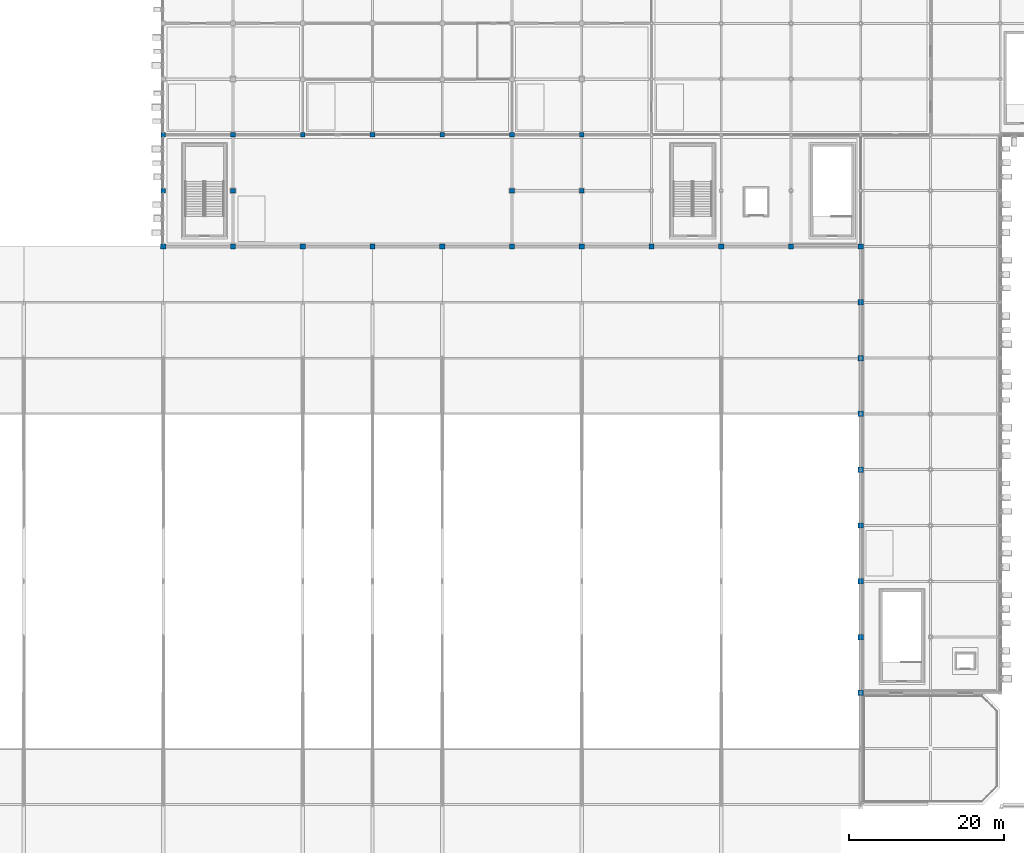
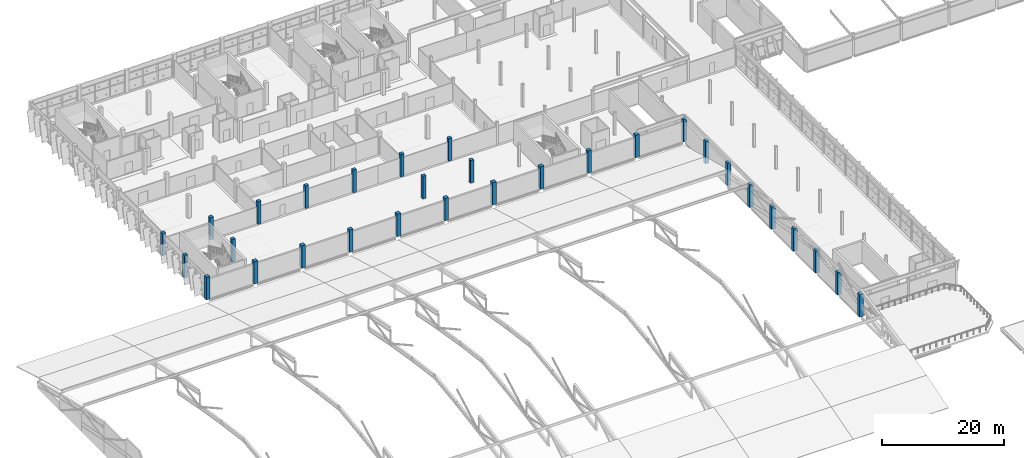
# One storey, part 1 of 124: 30 columns.
"""IFC4 building model written with IfcOpenShell, lengths in metres."""

from ifc_helpers import new_model, si_unit, direction, frame, origin, origin_2d, place, context, subcontext, project, spatial, rectangle, extrude, material, material_profile, profile_set, type_object, element, save


model = new_model("IFC4")

# Units and contexts
model_context = context("Model", 3, precision=1e-05, world=origin(), true_north=direction((0.0, 1.0)))
body_context = subcontext(model_context, "Body", "Model", "MODEL_VIEW")
ifc_project = project(units=[si_unit("LENGTHUNIT", "METRE"), si_unit("AREAUNIT", "SQUARE_METRE"), si_unit("VOLUMEUNIT", "CUBIC_METRE"), si_unit("PLANEANGLEUNIT", "RADIAN"), si_unit("MASSUNIT", "GRAM", prefix="KILO")], contexts=[model_context])

# Site, building, storey
site_placement = place(None, origin())
site = spatial("IfcSite", under=ifc_project, at=site_placement, CompositionType="ELEMENT")
building_placement = place(site_placement, origin())
building = spatial("IfcBuilding", under=site, at=building_placement, Name="Celestram Park Convention Centre", CompositionType="ELEMENT")
storey_placement = place(building_placement, frame((0.0, 0.0, 15.300048828125)))
storey = spatial("IfcBuildingStorey", under=building, at=storey_placement, Name="L03", CompositionType="ELEMENT", Elevation=15.300048828125)

# Columns
ifc_material = material(Name="Concrete C40/50", Category="concrete")
ifc_material_profile_1 = material_profile(ifc_material, rectangle(XDim=0.60009765625, YDim=0.60009765625, at=origin_2d()), Name="RC600X600")
ifc_profile_set_1 = profile_set([ifc_material_profile_1], Name="Concrete C40/50")
column_type_1 = type_object("IfcColumnType", Name="STR-COL-RC600", PredefinedType="COLUMN", material=ifc_profile_set_1)
for number, where, z_axis, x_axis, name in (
    (1, (36.0, 115.199951171875, 0.0), (0.0, 0.0, 1.0), (1.0, 0.0, 0.0), "Column CN-L03-002"),
    (2, (36.0, 122.39990234375, 0.0), (0.0, 0.0, 1.0), (1.0, 0.0, 0.0), "Column CN-L03-003"),
    (3, (45.0, 115.199951171875, 0.0), (0.0, 0.0, 1.0), (1.0, 0.0, 0.0), "Column CN-L03-011"),
    (4, (45.0, 122.39990234375, 0.0), (0.0, 0.0, 1.0), (1.0, 0.0, 0.0), "Column CN-L03-012"),
    (5, (54.0, 122.39990234375, 0.0), (0.0, 0.0, 1.0), (1.0, 0.0, 0.0), "Column CN-L03-020"),
    (6, (63.0, 122.39990234375, 0.0), (0.0, 0.0, 1.0), (1.0, 0.0, 0.0), "Column CN-L03-028"),
    (7, (72.0, 122.39990234375, 0.0), (0.0, 0.0, 1.0), (1.0, 0.0, 0.0), "Column CN-L03-036"),
    (8, (81.0, 115.199951171875, 0.0), (0.0, 0.0, 1.0), (1.0, 0.0, 0.0), "Column CN-L03-044"),
    (9, (81.0, 122.39990234375, 0.0), (0.0, 0.0, 1.0), (1.0, 0.0, 0.0), "Column CN-L03-045"),
    (10, (90.0, 115.199951171875, 0.0), (0.0, 0.0, 1.0), (1.0, 0.0, 0.0), "Column CN-L03-053"),
    (11, (90.0, 122.39990234375, 0.0), (0.0, 0.0, 1.0), (1.0, 0.0, 0.0), "Column CN-L03-054"),
):
    element("IfcColumn", number, at=place(storey_placement, frame(where, z_axis=z_axis, x_axis=x_axis)), inside=storey, type_object=column_type_1, Name=name, PredefinedType="COLUMN", context=body_context, shape_type="SweptSolid", body=[
        extrude(rectangle(XDim=0.60009765625, YDim=0.60009765625, at=origin_2d()), origin(), (0.0, 0.0, 1.0), 4.5),
    ])
ifc_material_profile_2 = material_profile(ifc_material, rectangle(XDim=0.699951171875, YDim=0.699951171875, at=origin_2d()), Name="RC700X700")
ifc_profile_set_2 = profile_set([ifc_material_profile_2], Name="Concrete C40/50")
column_type_2 = type_object("IfcColumnType", Name="STR-COL-RC700", PredefinedType="COLUMN", material=ifc_profile_set_2)
for number, where, z_axis, x_axis, name in (
    (12, (36.0, 108.0, 0.0), (0.0, 0.0, 1.0), (1.0, 0.0, 0.0), "Column CN-L03-001"),
    (13, (45.0, 108.0, 0.0), (0.0, 0.0, 1.0), (1.0, 0.0, 0.0), "Column CN-L03-010"),
    (14, (54.0, 108.0, 0.0), (0.0, 0.0, 1.0), (1.0, 0.0, 0.0), "Column CN-L03-019"),
    (15, (63.0, 108.0, 0.0), (0.0, 0.0, 1.0), (1.0, 0.0, 0.0), "Column CN-L03-027"),
    (16, (72.0, 108.0, 0.0), (0.0, 0.0, 1.0), (1.0, 0.0, 0.0), "Column CN-L03-035"),
    (17, (81.0, 108.0, 0.0), (0.0, 0.0, 1.0), (1.0, 0.0, 0.0), "Column CN-L03-043"),
    (18, (90.0, 108.0, 0.0), (0.0, 0.0, 1.0), (1.0, 0.0, 0.0), "Column CN-L03-052"),
    (19, (99.0, 108.0, 0.0), (0.0, 0.0, 1.0), (1.0, 0.0, 0.0), "Column CN-L03-061"),
    (20, (108.0, 108.0, 0.0), (0.0, 0.0, 1.0), (1.0, 0.0, 0.0), "Column CN-L03-070"),
    (21, (117.0, 108.0, 0.0), (0.0, 0.0, 1.0), (1.0, 0.0, 0.0), "Column CN-L03-079"),
    (22, (126.0, 50.39990234375, 0.0), (0.0, 0.0, 1.0), (1.0, 0.0, 0.0), "Column CN-L03-088"),
    (23, (126.0, 57.60009765625, 0.0), (0.0, 0.0, 1.0), (1.0, 0.0, 0.0), "Column CN-L03-089"),
    (24, (126.0, 64.800048828125, 0.0), (0.0, 0.0, 1.0), (1.0, 0.0, 0.0), "Column CN-L03-090"),
    (25, (126.0, 72.0, 0.0), (0.0, 0.0, 1.0), (1.0, 0.0, 0.0), "Column CN-L03-091"),
    (26, (126.0, 79.199951171875, 0.0), (0.0, 0.0, 1.0), (1.0, 0.0, 0.0), "Column CN-L03-092"),
    (27, (126.0, 86.39990234375, 0.0), (0.0, 0.0, 1.0), (1.0, 0.0, 0.0), "Column CN-L03-093"),
    (28, (126.0, 93.60009765625, 0.0), (0.0, 0.0, 1.0), (1.0, 0.0, 0.0), "Column CN-L03-094"),
    (29, (126.0, 100.800048828125, 0.0), (0.0, 0.0, 1.0), (1.0, 0.0, 0.0), "Column CN-L03-095"),
    (30, (126.0, 108.0, 0.0), (0.0, 0.0, 1.0), (1.0, 0.0, 0.0), "Column CN-L03-096"),
):
    element("IfcColumn", number, at=place(storey_placement, frame(where, z_axis=z_axis, x_axis=x_axis)), inside=storey, type_object=column_type_2, Name=name, PredefinedType="COLUMN", context=body_context, shape_type="SweptSolid", body=[
        extrude(rectangle(XDim=0.699951171875, YDim=0.699951171875, at=origin_2d()), origin(), (0.0, 0.0, 1.0), 4.5),
    ])

save(model, "model.ifc")
